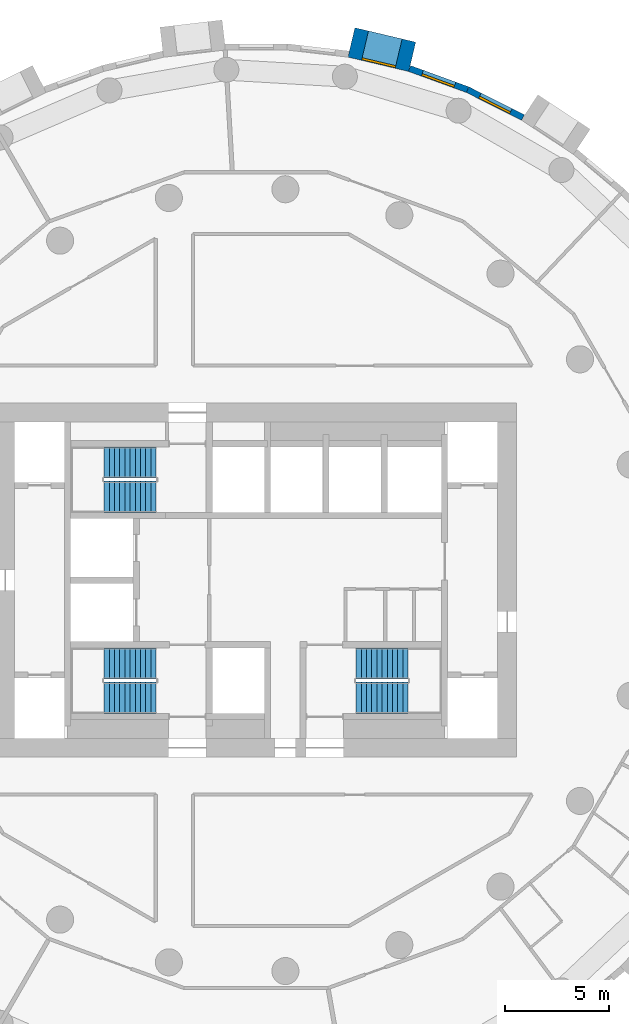
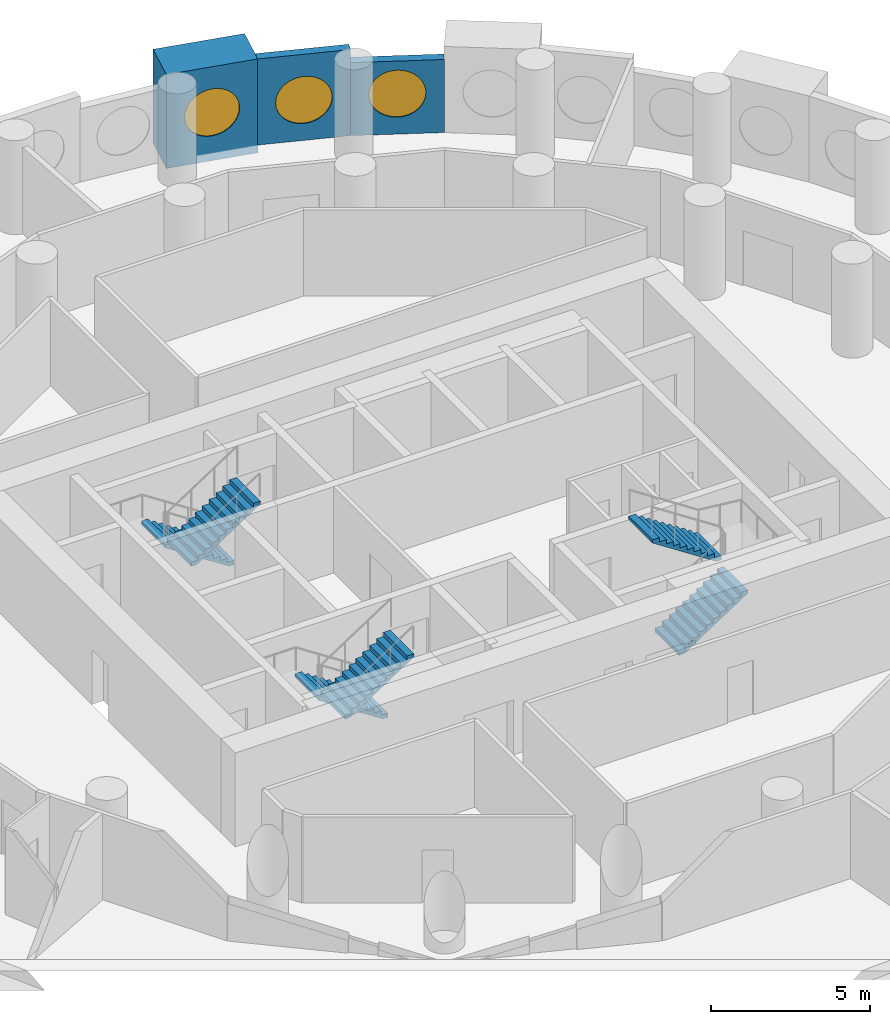
# One storey, part 8 of 9: 6 stair flights, 3 walls, 3 windows, 3 openings, 3 elements without a shape of their own.
"""IFC4 building model written with IfcOpenShell, lengths in metres."""

from ifc_helpers import new_model, si_unit, direction, frame, frame_2d, origin, origin_2d, place, context, subcontext, project, spatial, polyline, rectangle, circle, outline, extrude, material, layer, layer_set, type_object, element, fill, aggregate, save


model = new_model("IFC4")

# Units and contexts
model_context = context("Model", 3, precision=1e-05, world=origin(), true_north=direction((0.0, 1.0)))
body_context = subcontext(model_context, "Body", "Model", "MODEL_VIEW")
ifc_project = project(units=[si_unit("LENGTHUNIT", "METRE"), si_unit("AREAUNIT", "SQUARE_METRE"), si_unit("VOLUMEUNIT", "CUBIC_METRE"), si_unit("PLANEANGLEUNIT", "RADIAN"), si_unit("MASSUNIT", "GRAM", prefix="KILO")], contexts=[model_context])

# Site, building, storey
site_placement = place(None, origin())
site = spatial("IfcSite", under=ifc_project, at=site_placement, CompositionType="ELEMENT")
building_placement = place(site_placement, origin())
building = spatial("IfcBuilding", under=site, at=building_placement, Name="Tracery Tower", CompositionType="ELEMENT")
storey_placement = place(building_placement, frame((0.0, 0.0, 190.800048828125)))
storey = spatial("IfcBuildingStorey", under=building, at=storey_placement, Name="L49", CompositionType="ELEMENT", Elevation=190.800048828125)

# Wall, opening, window
ifc_material_1 = material(Name="Precast concrete C50/60", Category="concrete")
ifc_layer_1 = layer(ifc_material_1, 1.449951171875)
ifc_layer_set_1 = layer_set([ifc_layer_1], Name="Deep-set bay unit 3000 x 3600, slab edge 300")
wall_type_1 = type_object("IfcWallType", Name="Deep-set bay unit 3000 x 3600, slab edge 300", PredefinedType="ELEMENTEDWALL", material=ifc_layer_set_1)
wall_1_placement = place(storey_placement, frame((7.496826171875, 25.12744140625, -0.300048828125), z_axis=(0.0, 0.0, 1.0), x_axis=(-0.973042333261, 0.23062657627, 0.0)))
wall_1 = element("IfcWall", 1, at=wall_1_placement, inside=storey, type_object=wall_type_1, Name="Deep-set bay unit 12 at L49", PredefinedType="ELEMENTEDWALL", context=body_context, shape_type="SweptSolid", body=[
    extrude(rectangle(XDim=3.0, YDim=1.449951171875, at=frame_2d((1.5, 0.0))), origin(), (0.0, 0.0, 1.0), 3.60009765625),
])
opening_1_placement = place(wall_1_placement, frame((1.5, 0.0, 1.85009765625)))
opening_1 = element("IfcOpeningElement", 2, at=opening_1_placement, cuts=wall_1, Name="Opening WN1", PredefinedType="OPENING", context=body_context, shape_type="SweptSolid", body=[
    extrude(circle(Radius=0.9000244140625, at=origin_2d()), frame((0.0, 0.73486328125, 0.0), z_axis=(0.0, -1.0, 0.0), x_axis=(1.0, 0.0, 0.0)), (0.0, 0.0, 1.0), 1.469970703125),
])
ifc_material_2 = material(Name="Aluminium frame with tinted double glazing", Category="aluminium")
window_type = type_object("IfcWindowType", Name="Round window 1800", PartitioningType="SINGLE_PANEL", PredefinedType="WINDOW", material=ifc_material_2)
window_1_placement = place(opening_1_placement, origin())
window_1 = element("IfcWindow", 3, at=window_1_placement, inside=storey, type_object=window_type, Name="Round window 12 at L49", OverallHeight=1.800048828125, OverallWidth=1.800048828125, PartitioningType="SINGLE_PANEL", PredefinedType="WINDOW", context=body_context, shape_type="SweptSolid", body=[
    extrude(circle(Radius=0.9000244140625, at=origin_2d()), frame((0.0, 0.69482421875, 0.0), z_axis=(0.0, -1.0, 0.0), x_axis=(1.0, 0.0, 0.0)), (0.0, 0.0, 1.0), 0.10009765625),
])
fill(opening_1, window_1)

ifc_material_3 = material(Name="Precast concrete C50/60", Category="concrete")
ifc_layer_2 = layer(ifc_material_3, 0.300048828125)
ifc_layer_set_2 = layer_set([ifc_layer_2], Name="Facade panel 3000 x 2800")
wall_type_2 = type_object("IfcWallType", Name="Facade panel 3000 x 2800", PredefinedType="SOLIDWALL", material=ifc_layer_set_2)
wall_2_placement = place(storey_placement, frame((12.815185546875, 22.215576171875, 0.0), z_axis=(0.0, 0.0, 1.0), x_axis=(-0.893637442555, 0.448789618045, 0.0)))
wall_2 = element("IfcWall", 4, at=wall_2_placement, inside=storey, type_object=wall_type_2, Name="Facade panel 10 at L49", PredefinedType="SOLIDWALL", context=body_context, shape_type="SweptSolid", body=[
    extrude(rectangle(XDim=2.972900390625, YDim=0.300048828125, at=frame_2d((1.486328125, 0.0))), origin(), (0.0, 0.0, 1.0), 2.800048828125),
])
opening_2_placement = place(wall_2_placement, frame((1.486328125, 0.0, 1.5498046875)))
opening_2 = element("IfcOpeningElement", 5, at=opening_2_placement, cuts=wall_2, Name="Opening WN1", PredefinedType="OPENING", context=body_context, shape_type="SweptSolid", body=[
    extrude(circle(Radius=0.9000244140625, at=origin_2d()), frame((0.0, 0.159912109375, 0.0), z_axis=(0.0, -1.0, 0.0), x_axis=(1.0, 0.0, 0.0)), (0.0, 0.0, 1.0), 0.320068359375),
])
window_2_placement = place(opening_2_placement, origin())
window_2 = element("IfcWindow", 6, at=window_2_placement, inside=storey, type_object=window_type, Name="Round window 10 at L49", OverallHeight=1.800048828125, OverallWidth=1.800048828125, PartitioningType="SINGLE_PANEL", PredefinedType="WINDOW", context=body_context, shape_type="SweptSolid", body=[
    extrude(circle(Radius=0.9000244140625, at=origin_2d()), frame((0.0, 0.1201171875, 0.0), z_axis=(0.0, -1.0, 0.0), x_axis=(1.0, 0.0, 0.0)), (0.0, 0.0, 1.0), 0.10009765625),
])
fill(opening_2, window_2)

ifc_material_4 = material(Name="Precast concrete C50/60", Category="concrete")
ifc_layer_3 = layer(ifc_material_4, 0.300048828125)
ifc_layer_set_3 = layer_set([ifc_layer_3], Name="Facade panel 3000 x 3300")
wall_type_3 = type_object("IfcWallType", Name="Facade panel 3000 x 3300", PredefinedType="SOLIDWALL", material=ifc_layer_set_3)
wall_3_placement = place(storey_placement, frame((10.158447265625, 23.5498046875, 0.0), z_axis=(0.0, 0.0, 1.0), x_axis=(-0.939690282133, 0.342026568652, 0.0)))
wall_3 = element("IfcWall", 7, at=wall_3_placement, inside=storey, type_object=wall_type_3, Name="Facade panel 11 at L49", PredefinedType="SOLIDWALL", context=body_context, shape_type="SweptSolid", body=[
    extrude(rectangle(XDim=2.972900390625, YDim=0.300048828125, at=frame_2d((1.486328125, 0.0))), origin(), (0.0, 0.0, 1.0), 3.300048828125),
])
opening_3_placement = place(wall_3_placement, frame((1.486328125, 0.0, 1.5498046875)))
opening_3 = element("IfcOpeningElement", 8, at=opening_3_placement, cuts=wall_3, Name="Opening WN1", PredefinedType="OPENING", context=body_context, shape_type="SweptSolid", body=[
    extrude(circle(Radius=0.9000244140625, at=origin_2d()), frame((0.0, 0.159912109375, 0.0), z_axis=(0.0, -1.0, 0.0), x_axis=(1.0, 0.0, 0.0)), (0.0, 0.0, 1.0), 0.320068359375),
])
window_3_placement = place(opening_3_placement, origin())
window_3 = element("IfcWindow", 9, at=window_3_placement, inside=storey, type_object=window_type, Name="Round window 11 at L49", OverallHeight=1.800048828125, OverallWidth=1.800048828125, PartitioningType="SINGLE_PANEL", PredefinedType="WINDOW", context=body_context, shape_type="SweptSolid", body=[
    extrude(circle(Radius=0.9000244140625, at=origin_2d()), frame((0.0, 0.1201171875, 0.0), z_axis=(0.0, -1.0, 0.0), x_axis=(1.0, 0.0, 0.0)), (0.0, 0.0, 1.0), 0.10009765625),
])
fill(opening_3, window_3)

# Stair, stair flights
ifc_material_5 = material(Name="Concrete C32/40", Category="concrete")
stair_type = type_object("IfcStairType", Name="Core stair 22 risers", PredefinedType="HALF_TURN_STAIR", material=ifc_material_5)
stair_1_placement = place(storey_placement, origin())
stair_1 = element("IfcStair", 10, at=stair_1_placement, inside=storey, type_object=stair_type, Name="L49 stair ST1", PredefinedType="HALF_TURN_STAIR")
ifc_material_6 = material(Name="Concrete C32/40", Category="concrete")
stair_flight_type = type_object("IfcStairFlightType", Name="Core stair flight 11 risers", PredefinedType="STRAIGHT", material=ifc_material_6)
stair_flight_1_placement = place(storey_placement, frame((-4.800048828125, -4.0, 0.0), z_axis=(0.0, 0.0, 1.0), x_axis=(-1.0, 0.0, 0.0)))
stair_flight_1 = element("IfcStairFlight", 11, at=stair_flight_1_placement, type_object=stair_flight_type, Name="ST1 flight 1", NumberOfRisers=11, NumberOfTreads=10, PredefinedType="STRAIGHT", RiserHeight=0.163636364, TreadLength=0.25, context=body_context, shape_type="SweptSolid", body=[
    extrude(outline(polyline([(0.0, 0.0), (0.0, 0.002685546875), (0.0, 0.00537109375), (0.0, 0.008056640625), (0.0, 0.0107421875), (0.0, 0.013427734375), (0.0, 0.01611328125), (0.0, 0.018798828125), (0.0, 0.021484375), (0.0, 0.024169921875), (0.0, 0.02685546875), (0.0, 0.029541015625), (0.0, 0.0322265625), (0.0, 0.034912109375), (0.0, 0.03759765625), (0.0, 0.040283203125), (0.0, 0.04296875), (0.0, 0.045654296875), (0.0, 0.04833984375), (0.0, 0.051025390625), (0.0, 0.0537109375), (0.0, 0.056396484375), (0.0, 0.05908203125), (0.0, 0.061767578125), (0.0, 0.064453125), (0.0, 0.067138671875), (0.0, 0.06982421875), (0.0, 0.072509765625), (0.0, 0.0751953125), (0.0, 0.077880859375), (0.0, 0.08056640625), (0.0, 0.083251953125), (0.0, 0.0859375), (0.0, 0.088623046875), (0.0, 0.09130859375), (0.0, 0.093994140625), (0.0, 0.0966796875), (0.0, 0.099365234375), (0.0, 0.10205078125), (0.0, 0.104736328125), (0.0, 0.107421875), (0.0, 0.10986328125), (0.0, 0.112548828125), (0.0, 0.115234375), (0.0, 0.117919921875), (0.0, 0.12060546875), (0.0, 0.123291015625), (0.0, 0.1259765625), (0.0, 0.128662109375), (0.0, 0.13134765625), (0.0, 0.134033203125), (0.0, 0.13671875), (0.0, 0.139404296875), (0.0, 0.14208984375), (0.0, 0.144775390625), (0.0, 0.1474609375), (0.0, 0.150146484375), (0.0, 0.15283203125), (0.0, 0.155517578125), (0.0, 0.158203125), (0.0, 0.160888671875), (0.0, 0.16357421875), (0.25, 0.16357421875), (0.25, 0.327392578125), (0.5, 0.327392578125), (0.5, 0.490966796875), (0.75, 0.490966796875), (0.75, 0.654541015625), (1.0, 0.654541015625), (1.0, 0.818115234375), (1.25, 0.818115234375), (1.25, 0.98193359375), (1.5, 0.98193359375), (1.5, 1.1455078125), (1.75, 1.1455078125), (1.75, 1.30908203125), (2.0, 1.30908203125), (2.0, 1.47265625), (2.25, 1.47265625), (2.25, 1.636474609375), (2.5, 1.636474609375), (2.5, 1.634521484375), (2.5, 1.63232421875), (2.5, 1.63037109375), (2.5, 1.62841796875), (2.5, 1.62646484375), (2.5, 1.62451171875), (2.5, 1.62255859375), (2.5, 1.62060546875), (2.5, 1.61865234375), (2.5, 1.61669921875), (2.5, 1.61474609375), (2.5, 1.61279296875), (2.5, 1.61083984375), (2.5, 1.60888671875), (2.5, 1.60693359375), (2.5, 1.60498046875), (2.5, 1.60302734375), (2.5, 1.60107421875), (2.5, 1.59912109375), (2.5, 1.59716796875), (2.5, 1.59521484375), (2.5, 1.59326171875), (2.5, 1.59130859375), (2.5, 1.58935546875), (2.5, 1.58740234375), (2.5, 1.58544921875), (2.5, 1.58349609375), (2.5, 1.58154296875), (2.5, 1.57958984375), (2.5, 1.57763671875), (2.5, 1.57568359375), (2.5, 1.573486328125), (2.5, 1.571533203125), (2.5, 1.569580078125), (2.5, 1.567626953125), (2.5, 1.565673828125), (2.5, 1.563720703125), (2.5, 1.561767578125), (2.5, 1.559814453125), (2.5, 1.557861328125), (2.5, 1.555908203125), (2.5, 1.553955078125), (2.5, 1.552001953125), (2.5, 1.550048828125), (2.5, 1.548095703125), (2.5, 1.546142578125), (2.5, 1.544189453125), (2.5, 1.542236328125), (2.5, 1.540283203125), (2.5, 1.538330078125), (2.5, 1.536376953125), (2.5, 1.534423828125), (2.5, 1.532470703125), (2.5, 1.530517578125), (2.5, 1.528564453125), (2.5, 1.526611328125), (2.5, 1.524658203125), (2.5, 1.522705078125), (2.5, 1.520751953125), (2.5, 1.518798828125), (2.5, 1.516845703125), (0.182861328125, 0.0), (0.0, 0.0)])), frame((0.0, 0.75, 0.0), z_axis=(0.0, -1.0, 0.0), x_axis=(1.0, 0.0, 0.0)), (0.0, 0.0, 1.0), 1.5),
])
stair_flight_2_placement = place(storey_placement, frame((-7.300048828125, -5.64990234375, 1.800048828125), z_axis=(0.0, 0.0, 1.0), x_axis=(1.0, 0.0, 0.0)))
stair_flight_2 = element("IfcStairFlight", 12, at=stair_flight_2_placement, type_object=stair_flight_type, Name="ST1 flight 2", NumberOfRisers=11, NumberOfTreads=10, PredefinedType="STRAIGHT", RiserHeight=0.163636364, TreadLength=0.25, context=body_context, shape_type="SweptSolid", body=[
    extrude(outline(polyline([(0.0, 0.0), (0.0, 0.002685546875), (0.0, 0.00537109375), (0.0, 0.008056640625), (0.0, 0.0107421875), (0.0, 0.013427734375), (0.0, 0.01611328125), (0.0, 0.018798828125), (0.0, 0.021484375), (0.0, 0.024169921875), (0.0, 0.02685546875), (0.0, 0.029541015625), (0.0, 0.0322265625), (0.0, 0.034912109375), (0.0, 0.03759765625), (0.0, 0.040283203125), (0.0, 0.04296875), (0.0, 0.045654296875), (0.0, 0.04833984375), (0.0, 0.051025390625), (0.0, 0.0537109375), (0.0, 0.056396484375), (0.0, 0.05908203125), (0.0, 0.061767578125), (0.0, 0.064453125), (0.0, 0.067138671875), (0.0, 0.06982421875), (0.0, 0.072509765625), (0.0, 0.0751953125), (0.0, 0.077880859375), (0.0, 0.08056640625), (0.0, 0.083251953125), (0.0, 0.0859375), (0.0, 0.088623046875), (0.0, 0.09130859375), (0.0, 0.093994140625), (0.0, 0.0966796875), (0.0, 0.099365234375), (0.0, 0.10205078125), (0.0, 0.104736328125), (0.0, 0.107421875), (0.0, 0.10986328125), (0.0, 0.112548828125), (0.0, 0.115234375), (0.0, 0.117919921875), (0.0, 0.12060546875), (0.0, 0.123291015625), (0.0, 0.1259765625), (0.0, 0.128662109375), (0.0, 0.13134765625), (0.0, 0.134033203125), (0.0, 0.13671875), (0.0, 0.139404296875), (0.0, 0.14208984375), (0.0, 0.144775390625), (0.0, 0.1474609375), (0.0, 0.150146484375), (0.0, 0.15283203125), (0.0, 0.155517578125), (0.0, 0.158203125), (0.0, 0.160888671875), (0.0, 0.16357421875), (0.25, 0.16357421875), (0.25, 0.327392578125), (0.5, 0.327392578125), (0.5, 0.490966796875), (0.75, 0.490966796875), (0.75, 0.654541015625), (1.0, 0.654541015625), (1.0, 0.818115234375), (1.25, 0.818115234375), (1.25, 0.98193359375), (1.5, 0.98193359375), (1.5, 1.1455078125), (1.75, 1.1455078125), (1.75, 1.30908203125), (2.0, 1.30908203125), (2.0, 1.47265625), (2.25, 1.47265625), (2.25, 1.636474609375), (2.5, 1.636474609375), (2.5, 1.634521484375), (2.5, 1.63232421875), (2.5, 1.63037109375), (2.5, 1.62841796875), (2.5, 1.62646484375), (2.5, 1.62451171875), (2.5, 1.62255859375), (2.5, 1.62060546875), (2.5, 1.61865234375), (2.5, 1.61669921875), (2.5, 1.61474609375), (2.5, 1.61279296875), (2.5, 1.61083984375), (2.5, 1.60888671875), (2.5, 1.60693359375), (2.5, 1.60498046875), (2.5, 1.60302734375), (2.5, 1.60107421875), (2.5, 1.59912109375), (2.5, 1.59716796875), (2.5, 1.59521484375), (2.5, 1.59326171875), (2.5, 1.59130859375), (2.5, 1.58935546875), (2.5, 1.58740234375), (2.5, 1.58544921875), (2.5, 1.58349609375), (2.5, 1.58154296875), (2.5, 1.57958984375), (2.5, 1.57763671875), (2.5, 1.57568359375), (2.5, 1.573486328125), (2.5, 1.571533203125), (2.5, 1.569580078125), (2.5, 1.567626953125), (2.5, 1.565673828125), (2.5, 1.563720703125), (2.5, 1.561767578125), (2.5, 1.559814453125), (2.5, 1.557861328125), (2.5, 1.555908203125), (2.5, 1.553955078125), (2.5, 1.552001953125), (2.5, 1.550048828125), (2.5, 1.548095703125), (2.5, 1.546142578125), (2.5, 1.544189453125), (2.5, 1.542236328125), (2.5, 1.540283203125), (2.5, 1.538330078125), (2.5, 1.536376953125), (2.5, 1.534423828125), (2.5, 1.532470703125), (2.5, 1.530517578125), (2.5, 1.528564453125), (2.5, 1.526611328125), (2.5, 1.524658203125), (2.5, 1.522705078125), (2.5, 1.520751953125), (2.5, 1.518798828125), (2.5, 1.516845703125), (0.182861328125, 0.0), (0.0, 0.0)])), frame((0.0, 0.75, 0.0), z_axis=(0.0, -1.0, 0.0), x_axis=(1.0, 0.0, 0.0)), (0.0, 0.0, 1.0), 1.5),
])
aggregate(stair_1, [stair_flight_1, stair_flight_2])

stair_2_placement = place(storey_placement, origin())
stair_2 = element("IfcStair", 13, at=stair_2_placement, inside=storey, type_object=stair_type, Name="L49 stair ST3", PredefinedType="HALF_TURN_STAIR")
stair_flight_3_placement = place(storey_placement, frame((-4.800048828125, 5.64990234375, 0.0), z_axis=(0.0, 0.0, 1.0), x_axis=(-1.0, 0.0, 0.0)))
stair_flight_3 = element("IfcStairFlight", 14, at=stair_flight_3_placement, type_object=stair_flight_type, Name="ST3 flight 1", NumberOfRisers=11, NumberOfTreads=10, PredefinedType="STRAIGHT", RiserHeight=0.163636364, TreadLength=0.25, context=body_context, shape_type="SweptSolid", body=[
    extrude(outline(polyline([(0.0, 0.0), (0.0, 0.002685546875), (0.0, 0.00537109375), (0.0, 0.008056640625), (0.0, 0.0107421875), (0.0, 0.013427734375), (0.0, 0.01611328125), (0.0, 0.018798828125), (0.0, 0.021484375), (0.0, 0.024169921875), (0.0, 0.02685546875), (0.0, 0.029541015625), (0.0, 0.0322265625), (0.0, 0.034912109375), (0.0, 0.03759765625), (0.0, 0.040283203125), (0.0, 0.04296875), (0.0, 0.045654296875), (0.0, 0.04833984375), (0.0, 0.051025390625), (0.0, 0.0537109375), (0.0, 0.056396484375), (0.0, 0.05908203125), (0.0, 0.061767578125), (0.0, 0.064453125), (0.0, 0.067138671875), (0.0, 0.06982421875), (0.0, 0.072509765625), (0.0, 0.0751953125), (0.0, 0.077880859375), (0.0, 0.08056640625), (0.0, 0.083251953125), (0.0, 0.0859375), (0.0, 0.088623046875), (0.0, 0.09130859375), (0.0, 0.093994140625), (0.0, 0.0966796875), (0.0, 0.099365234375), (0.0, 0.10205078125), (0.0, 0.104736328125), (0.0, 0.107421875), (0.0, 0.10986328125), (0.0, 0.112548828125), (0.0, 0.115234375), (0.0, 0.117919921875), (0.0, 0.12060546875), (0.0, 0.123291015625), (0.0, 0.1259765625), (0.0, 0.128662109375), (0.0, 0.13134765625), (0.0, 0.134033203125), (0.0, 0.13671875), (0.0, 0.139404296875), (0.0, 0.14208984375), (0.0, 0.144775390625), (0.0, 0.1474609375), (0.0, 0.150146484375), (0.0, 0.15283203125), (0.0, 0.155517578125), (0.0, 0.158203125), (0.0, 0.160888671875), (0.0, 0.16357421875), (0.25, 0.16357421875), (0.25, 0.327392578125), (0.5, 0.327392578125), (0.5, 0.490966796875), (0.75, 0.490966796875), (0.75, 0.654541015625), (1.0, 0.654541015625), (1.0, 0.818115234375), (1.25, 0.818115234375), (1.25, 0.98193359375), (1.5, 0.98193359375), (1.5, 1.1455078125), (1.75, 1.1455078125), (1.75, 1.30908203125), (2.0, 1.30908203125), (2.0, 1.47265625), (2.25, 1.47265625), (2.25, 1.636474609375), (2.5, 1.636474609375), (2.5, 1.634521484375), (2.5, 1.63232421875), (2.5, 1.63037109375), (2.5, 1.62841796875), (2.5, 1.62646484375), (2.5, 1.62451171875), (2.5, 1.62255859375), (2.5, 1.62060546875), (2.5, 1.61865234375), (2.5, 1.61669921875), (2.5, 1.61474609375), (2.5, 1.61279296875), (2.5, 1.61083984375), (2.5, 1.60888671875), (2.5, 1.60693359375), (2.5, 1.60498046875), (2.5, 1.60302734375), (2.5, 1.60107421875), (2.5, 1.59912109375), (2.5, 1.59716796875), (2.5, 1.59521484375), (2.5, 1.59326171875), (2.5, 1.59130859375), (2.5, 1.58935546875), (2.5, 1.58740234375), (2.5, 1.58544921875), (2.5, 1.58349609375), (2.5, 1.58154296875), (2.5, 1.57958984375), (2.5, 1.57763671875), (2.5, 1.57568359375), (2.5, 1.573486328125), (2.5, 1.571533203125), (2.5, 1.569580078125), (2.5, 1.567626953125), (2.5, 1.565673828125), (2.5, 1.563720703125), (2.5, 1.561767578125), (2.5, 1.559814453125), (2.5, 1.557861328125), (2.5, 1.555908203125), (2.5, 1.553955078125), (2.5, 1.552001953125), (2.5, 1.550048828125), (2.5, 1.548095703125), (2.5, 1.546142578125), (2.5, 1.544189453125), (2.5, 1.542236328125), (2.5, 1.540283203125), (2.5, 1.538330078125), (2.5, 1.536376953125), (2.5, 1.534423828125), (2.5, 1.532470703125), (2.5, 1.530517578125), (2.5, 1.528564453125), (2.5, 1.526611328125), (2.5, 1.524658203125), (2.5, 1.522705078125), (2.5, 1.520751953125), (2.5, 1.518798828125), (2.5, 1.516845703125), (0.182861328125, 0.0), (0.0, 0.0)])), frame((0.0, 0.75, 0.0), z_axis=(0.0, -1.0, 0.0), x_axis=(1.0, 0.0, 0.0)), (0.0, 0.0, 1.0), 1.5),
])
stair_flight_4_placement = place(storey_placement, frame((-7.300048828125, 4.0, 1.800048828125), z_axis=(0.0, 0.0, 1.0), x_axis=(1.0, 0.0, 0.0)))
stair_flight_4 = element("IfcStairFlight", 15, at=stair_flight_4_placement, type_object=stair_flight_type, Name="ST3 flight 2", NumberOfRisers=11, NumberOfTreads=10, PredefinedType="STRAIGHT", RiserHeight=0.163636364, TreadLength=0.25, context=body_context, shape_type="SweptSolid", body=[
    extrude(outline(polyline([(0.0, 0.0), (0.0, 0.002685546875), (0.0, 0.00537109375), (0.0, 0.008056640625), (0.0, 0.0107421875), (0.0, 0.013427734375), (0.0, 0.01611328125), (0.0, 0.018798828125), (0.0, 0.021484375), (0.0, 0.024169921875), (0.0, 0.02685546875), (0.0, 0.029541015625), (0.0, 0.0322265625), (0.0, 0.034912109375), (0.0, 0.03759765625), (0.0, 0.040283203125), (0.0, 0.04296875), (0.0, 0.045654296875), (0.0, 0.04833984375), (0.0, 0.051025390625), (0.0, 0.0537109375), (0.0, 0.056396484375), (0.0, 0.05908203125), (0.0, 0.061767578125), (0.0, 0.064453125), (0.0, 0.067138671875), (0.0, 0.06982421875), (0.0, 0.072509765625), (0.0, 0.0751953125), (0.0, 0.077880859375), (0.0, 0.08056640625), (0.0, 0.083251953125), (0.0, 0.0859375), (0.0, 0.088623046875), (0.0, 0.09130859375), (0.0, 0.093994140625), (0.0, 0.0966796875), (0.0, 0.099365234375), (0.0, 0.10205078125), (0.0, 0.104736328125), (0.0, 0.107421875), (0.0, 0.10986328125), (0.0, 0.112548828125), (0.0, 0.115234375), (0.0, 0.117919921875), (0.0, 0.12060546875), (0.0, 0.123291015625), (0.0, 0.1259765625), (0.0, 0.128662109375), (0.0, 0.13134765625), (0.0, 0.134033203125), (0.0, 0.13671875), (0.0, 0.139404296875), (0.0, 0.14208984375), (0.0, 0.144775390625), (0.0, 0.1474609375), (0.0, 0.150146484375), (0.0, 0.15283203125), (0.0, 0.155517578125), (0.0, 0.158203125), (0.0, 0.160888671875), (0.0, 0.16357421875), (0.25, 0.16357421875), (0.25, 0.327392578125), (0.5, 0.327392578125), (0.5, 0.490966796875), (0.75, 0.490966796875), (0.75, 0.654541015625), (1.0, 0.654541015625), (1.0, 0.818115234375), (1.25, 0.818115234375), (1.25, 0.98193359375), (1.5, 0.98193359375), (1.5, 1.1455078125), (1.75, 1.1455078125), (1.75, 1.30908203125), (2.0, 1.30908203125), (2.0, 1.47265625), (2.25, 1.47265625), (2.25, 1.636474609375), (2.5, 1.636474609375), (2.5, 1.634521484375), (2.5, 1.63232421875), (2.5, 1.63037109375), (2.5, 1.62841796875), (2.5, 1.62646484375), (2.5, 1.62451171875), (2.5, 1.62255859375), (2.5, 1.62060546875), (2.5, 1.61865234375), (2.5, 1.61669921875), (2.5, 1.61474609375), (2.5, 1.61279296875), (2.5, 1.61083984375), (2.5, 1.60888671875), (2.5, 1.60693359375), (2.5, 1.60498046875), (2.5, 1.60302734375), (2.5, 1.60107421875), (2.5, 1.59912109375), (2.5, 1.59716796875), (2.5, 1.59521484375), (2.5, 1.59326171875), (2.5, 1.59130859375), (2.5, 1.58935546875), (2.5, 1.58740234375), (2.5, 1.58544921875), (2.5, 1.58349609375), (2.5, 1.58154296875), (2.5, 1.57958984375), (2.5, 1.57763671875), (2.5, 1.57568359375), (2.5, 1.573486328125), (2.5, 1.571533203125), (2.5, 1.569580078125), (2.5, 1.567626953125), (2.5, 1.565673828125), (2.5, 1.563720703125), (2.5, 1.561767578125), (2.5, 1.559814453125), (2.5, 1.557861328125), (2.5, 1.555908203125), (2.5, 1.553955078125), (2.5, 1.552001953125), (2.5, 1.550048828125), (2.5, 1.548095703125), (2.5, 1.546142578125), (2.5, 1.544189453125), (2.5, 1.542236328125), (2.5, 1.540283203125), (2.5, 1.538330078125), (2.5, 1.536376953125), (2.5, 1.534423828125), (2.5, 1.532470703125), (2.5, 1.530517578125), (2.5, 1.528564453125), (2.5, 1.526611328125), (2.5, 1.524658203125), (2.5, 1.522705078125), (2.5, 1.520751953125), (2.5, 1.518798828125), (2.5, 1.516845703125), (0.182861328125, 0.0), (0.0, 0.0)])), frame((0.0, 0.75, 0.0), z_axis=(0.0, -1.0, 0.0), x_axis=(1.0, 0.0, 0.0)), (0.0, 0.0, 1.0), 1.5),
])
aggregate(stair_2, [stair_flight_3, stair_flight_4])

stair_3_placement = place(storey_placement, origin())
stair_3 = element("IfcStair", 16, at=stair_3_placement, inside=storey, type_object=stair_type, Name="L49 stair ST2", PredefinedType="HALF_TURN_STAIR")
stair_flight_5_placement = place(storey_placement, frame((4.800048828125, -5.64990234375, 0.0), z_axis=(0.0, 0.0, 1.0), x_axis=(1.0, 0.0, 0.0)))
stair_flight_5 = element("IfcStairFlight", 17, at=stair_flight_5_placement, type_object=stair_flight_type, Name="ST2 flight 1", NumberOfRisers=11, NumberOfTreads=10, PredefinedType="STRAIGHT", RiserHeight=0.163636364, TreadLength=0.25, context=body_context, shape_type="SweptSolid", body=[
    extrude(outline(polyline([(0.0, 0.0), (0.0, 0.002685546875), (0.0, 0.00537109375), (0.0, 0.008056640625), (0.0, 0.0107421875), (0.0, 0.013427734375), (0.0, 0.01611328125), (0.0, 0.018798828125), (0.0, 0.021484375), (0.0, 0.024169921875), (0.0, 0.02685546875), (0.0, 0.029541015625), (0.0, 0.0322265625), (0.0, 0.034912109375), (0.0, 0.03759765625), (0.0, 0.040283203125), (0.0, 0.04296875), (0.0, 0.045654296875), (0.0, 0.04833984375), (0.0, 0.051025390625), (0.0, 0.0537109375), (0.0, 0.056396484375), (0.0, 0.05908203125), (0.0, 0.061767578125), (0.0, 0.064453125), (0.0, 0.067138671875), (0.0, 0.06982421875), (0.0, 0.072509765625), (0.0, 0.0751953125), (0.0, 0.077880859375), (0.0, 0.08056640625), (0.0, 0.083251953125), (0.0, 0.0859375), (0.0, 0.088623046875), (0.0, 0.09130859375), (0.0, 0.093994140625), (0.0, 0.0966796875), (0.0, 0.099365234375), (0.0, 0.10205078125), (0.0, 0.104736328125), (0.0, 0.107421875), (0.0, 0.10986328125), (0.0, 0.112548828125), (0.0, 0.115234375), (0.0, 0.117919921875), (0.0, 0.12060546875), (0.0, 0.123291015625), (0.0, 0.1259765625), (0.0, 0.128662109375), (0.0, 0.13134765625), (0.0, 0.134033203125), (0.0, 0.13671875), (0.0, 0.139404296875), (0.0, 0.14208984375), (0.0, 0.144775390625), (0.0, 0.1474609375), (0.0, 0.150146484375), (0.0, 0.15283203125), (0.0, 0.155517578125), (0.0, 0.158203125), (0.0, 0.160888671875), (0.0, 0.16357421875), (0.25, 0.16357421875), (0.25, 0.327392578125), (0.5, 0.327392578125), (0.5, 0.490966796875), (0.75, 0.490966796875), (0.75, 0.654541015625), (1.0, 0.654541015625), (1.0, 0.818115234375), (1.25, 0.818115234375), (1.25, 0.98193359375), (1.5, 0.98193359375), (1.5, 1.1455078125), (1.75, 1.1455078125), (1.75, 1.30908203125), (2.0, 1.30908203125), (2.0, 1.47265625), (2.25, 1.47265625), (2.25, 1.636474609375), (2.5, 1.636474609375), (2.5, 1.634521484375), (2.5, 1.63232421875), (2.5, 1.63037109375), (2.5, 1.62841796875), (2.5, 1.62646484375), (2.5, 1.62451171875), (2.5, 1.62255859375), (2.5, 1.62060546875), (2.5, 1.61865234375), (2.5, 1.61669921875), (2.5, 1.61474609375), (2.5, 1.61279296875), (2.5, 1.61083984375), (2.5, 1.60888671875), (2.5, 1.60693359375), (2.5, 1.60498046875), (2.5, 1.60302734375), (2.5, 1.60107421875), (2.5, 1.59912109375), (2.5, 1.59716796875), (2.5, 1.59521484375), (2.5, 1.59326171875), (2.5, 1.59130859375), (2.5, 1.58935546875), (2.5, 1.58740234375), (2.5, 1.58544921875), (2.5, 1.58349609375), (2.5, 1.58154296875), (2.5, 1.57958984375), (2.5, 1.57763671875), (2.5, 1.57568359375), (2.5, 1.573486328125), (2.5, 1.571533203125), (2.5, 1.569580078125), (2.5, 1.567626953125), (2.5, 1.565673828125), (2.5, 1.563720703125), (2.5, 1.561767578125), (2.5, 1.559814453125), (2.5, 1.557861328125), (2.5, 1.555908203125), (2.5, 1.553955078125), (2.5, 1.552001953125), (2.5, 1.550048828125), (2.5, 1.548095703125), (2.5, 1.546142578125), (2.5, 1.544189453125), (2.5, 1.542236328125), (2.5, 1.540283203125), (2.5, 1.538330078125), (2.5, 1.536376953125), (2.5, 1.534423828125), (2.5, 1.532470703125), (2.5, 1.530517578125), (2.5, 1.528564453125), (2.5, 1.526611328125), (2.5, 1.524658203125), (2.5, 1.522705078125), (2.5, 1.520751953125), (2.5, 1.518798828125), (2.5, 1.516845703125), (0.182861328125, 0.0), (0.0, 0.0)])), frame((0.0, 0.75, 0.0), z_axis=(0.0, -1.0, 0.0), x_axis=(1.0, 0.0, 0.0)), (0.0, 0.0, 1.0), 1.5),
])
stair_flight_6_placement = place(storey_placement, frame((7.300048828125, -4.0, 1.800048828125), z_axis=(0.0, 0.0, 1.0), x_axis=(-1.0, 0.0, 0.0)))
stair_flight_6 = element("IfcStairFlight", 18, at=stair_flight_6_placement, type_object=stair_flight_type, Name="ST2 flight 2", NumberOfRisers=11, NumberOfTreads=10, PredefinedType="STRAIGHT", RiserHeight=0.163636364, TreadLength=0.25, context=body_context, shape_type="SweptSolid", body=[
    extrude(outline(polyline([(0.0, 0.0), (0.0, 0.002685546875), (0.0, 0.00537109375), (0.0, 0.008056640625), (0.0, 0.0107421875), (0.0, 0.013427734375), (0.0, 0.01611328125), (0.0, 0.018798828125), (0.0, 0.021484375), (0.0, 0.024169921875), (0.0, 0.02685546875), (0.0, 0.029541015625), (0.0, 0.0322265625), (0.0, 0.034912109375), (0.0, 0.03759765625), (0.0, 0.040283203125), (0.0, 0.04296875), (0.0, 0.045654296875), (0.0, 0.04833984375), (0.0, 0.051025390625), (0.0, 0.0537109375), (0.0, 0.056396484375), (0.0, 0.05908203125), (0.0, 0.061767578125), (0.0, 0.064453125), (0.0, 0.067138671875), (0.0, 0.06982421875), (0.0, 0.072509765625), (0.0, 0.0751953125), (0.0, 0.077880859375), (0.0, 0.08056640625), (0.0, 0.083251953125), (0.0, 0.0859375), (0.0, 0.088623046875), (0.0, 0.09130859375), (0.0, 0.093994140625), (0.0, 0.0966796875), (0.0, 0.099365234375), (0.0, 0.10205078125), (0.0, 0.104736328125), (0.0, 0.107421875), (0.0, 0.10986328125), (0.0, 0.112548828125), (0.0, 0.115234375), (0.0, 0.117919921875), (0.0, 0.12060546875), (0.0, 0.123291015625), (0.0, 0.1259765625), (0.0, 0.128662109375), (0.0, 0.13134765625), (0.0, 0.134033203125), (0.0, 0.13671875), (0.0, 0.139404296875), (0.0, 0.14208984375), (0.0, 0.144775390625), (0.0, 0.1474609375), (0.0, 0.150146484375), (0.0, 0.15283203125), (0.0, 0.155517578125), (0.0, 0.158203125), (0.0, 0.160888671875), (0.0, 0.16357421875), (0.25, 0.16357421875), (0.25, 0.327392578125), (0.5, 0.327392578125), (0.5, 0.490966796875), (0.75, 0.490966796875), (0.75, 0.654541015625), (1.0, 0.654541015625), (1.0, 0.818115234375), (1.25, 0.818115234375), (1.25, 0.98193359375), (1.5, 0.98193359375), (1.5, 1.1455078125), (1.75, 1.1455078125), (1.75, 1.30908203125), (2.0, 1.30908203125), (2.0, 1.47265625), (2.25, 1.47265625), (2.25, 1.636474609375), (2.5, 1.636474609375), (2.5, 1.634521484375), (2.5, 1.63232421875), (2.5, 1.63037109375), (2.5, 1.62841796875), (2.5, 1.62646484375), (2.5, 1.62451171875), (2.5, 1.62255859375), (2.5, 1.62060546875), (2.5, 1.61865234375), (2.5, 1.61669921875), (2.5, 1.61474609375), (2.5, 1.61279296875), (2.5, 1.61083984375), (2.5, 1.60888671875), (2.5, 1.60693359375), (2.5, 1.60498046875), (2.5, 1.60302734375), (2.5, 1.60107421875), (2.5, 1.59912109375), (2.5, 1.59716796875), (2.5, 1.59521484375), (2.5, 1.59326171875), (2.5, 1.59130859375), (2.5, 1.58935546875), (2.5, 1.58740234375), (2.5, 1.58544921875), (2.5, 1.58349609375), (2.5, 1.58154296875), (2.5, 1.57958984375), (2.5, 1.57763671875), (2.5, 1.57568359375), (2.5, 1.573486328125), (2.5, 1.571533203125), (2.5, 1.569580078125), (2.5, 1.567626953125), (2.5, 1.565673828125), (2.5, 1.563720703125), (2.5, 1.561767578125), (2.5, 1.559814453125), (2.5, 1.557861328125), (2.5, 1.555908203125), (2.5, 1.553955078125), (2.5, 1.552001953125), (2.5, 1.550048828125), (2.5, 1.548095703125), (2.5, 1.546142578125), (2.5, 1.544189453125), (2.5, 1.542236328125), (2.5, 1.540283203125), (2.5, 1.538330078125), (2.5, 1.536376953125), (2.5, 1.534423828125), (2.5, 1.532470703125), (2.5, 1.530517578125), (2.5, 1.528564453125), (2.5, 1.526611328125), (2.5, 1.524658203125), (2.5, 1.522705078125), (2.5, 1.520751953125), (2.5, 1.518798828125), (2.5, 1.516845703125), (0.182861328125, 0.0), (0.0, 0.0)])), frame((0.0, 0.75, 0.0), z_axis=(0.0, -1.0, 0.0), x_axis=(1.0, 0.0, 0.0)), (0.0, 0.0, 1.0), 1.5),
])
aggregate(stair_3, [stair_flight_5, stair_flight_6])

save(model, "model.ifc")
